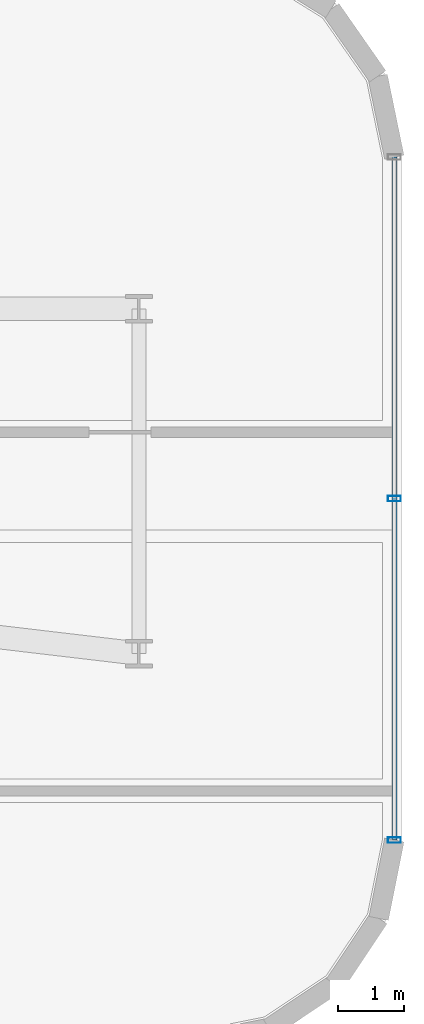
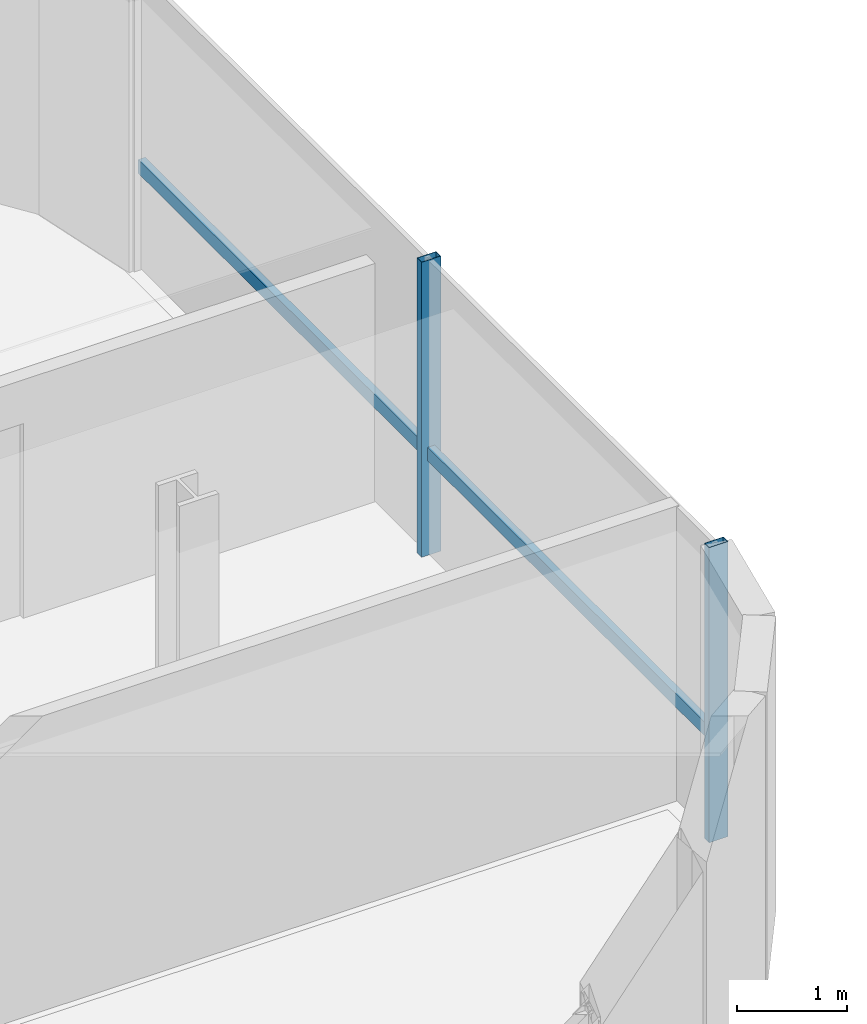
# One storey, part 10 of 22: 3 members, 1 element without a shape of its own.
"""IFC4 building model written with IfcOpenShell, lengths in metres."""

from ifc_helpers import new_model, si_unit, direction, frame, origin, origin_2d, place, context, subcontext, project, spatial, hollow_rectangle, extrude, source, transform, mapped, material, material_profile, profile_set, type_object, element, aggregate, save


model = new_model("IFC4")

# Units and contexts
model_context = context("Model", 3, precision=1e-05, world=origin(), true_north=direction((0.0, 1.0)))
body_context = subcontext(model_context, "Body", "Model", "MODEL_VIEW")
ifc_project = project(units=[si_unit("LENGTHUNIT", "METRE"), si_unit("AREAUNIT", "SQUARE_METRE"), si_unit("VOLUMEUNIT", "CUBIC_METRE"), si_unit("PLANEANGLEUNIT", "RADIAN"), si_unit("MASSUNIT", "GRAM", prefix="KILO")], contexts=[model_context])

# Site, building, storey
site_placement = place(None, origin())
site = spatial("IfcSite", under=ifc_project, at=site_placement, CompositionType="ELEMENT")
building_placement = place(site_placement, origin())
building = spatial("IfcBuilding", under=site, at=building_placement, Name="Valdorenza Pilgrim Sanctuary Tower", CompositionType="ELEMENT")
storey_placement = place(building_placement, frame((0.0, 0.0, 216.0)))
storey = spatial("IfcBuildingStorey", under=building, at=storey_placement, Name="L55", CompositionType="ELEMENT", Elevation=216.0)

# Curtain wall, members
ifc_material_1 = material(Name="Curtain-wall IGU glazing", Category="glass")
curtain_wall_type = type_object("IfcCurtainWallType", Name="CW-SYS-02", PredefinedType="NOTDEFINED", material=ifc_material_1)
curtain_wall_placement = place(storey_placement, origin())
curtain_wall = element("IfcCurtainWall", 1, at=curtain_wall_placement, inside=storey, type_object=curtain_wall_type, Name="L55 Curtain Wall CW-L55-1-11", PredefinedType="NOTDEFINED")
ifc_material_2 = material(Name="Anodised aluminium AW-6060", Category="aluminium")
ifc_material_profile_1 = material_profile(ifc_material_2, hollow_rectangle(XDim=0.0849609375, YDim=0.199951171875, WallThickness=0.0048828125, at=origin_2d()), Name="ALU-M 200x85x5")
ifc_profile_set_1 = profile_set([ifc_material_profile_1], Name="Anodised aluminium AW-6060")
member_type_1 = type_object("IfcMemberType", Name="CW-MUL-02", PredefinedType="MULLION", material=ifc_profile_set_1)
shared_shape_1 = source(origin(), body_context, "Body", "SweptSolid", [
    extrude(hollow_rectangle(XDim=0.0849609375, YDim=0.199951171875, WallThickness=0.0048828125, at=origin_2d()), origin(), (0.0, 0.0, 1.0), 3.260009765625),
])
member_1_placement = place(storey_placement, frame((0.389892578125, 11.9111328125, 0.0), z_axis=(0.0, 0.0, 1.0), x_axis=(0.0, -1.0, 0.0)))
member_1 = element("IfcMember", 2, at=member_1_placement, type_object=member_type_1, Name="CW-L55-1-11 Mullion 2", PredefinedType="MULLION", context=body_context, shape_type="MappedRepresentation", body=[
    mapped(shared_shape_1, transform((0.0, 0.0, 0.0), x_axis=(1.0, 0.0, 0.0), y_axis=(0.0, 1.0, 0.0), z_axis=(0.0, 0.0, 1.0), scale=1.0)),
])
member_2_placement = place(storey_placement, frame((0.389892578125, 6.710693359375, 0.0), z_axis=(0.0, 0.0, 1.0), x_axis=(0.0, -1.0, 0.0)))
member_2 = element("IfcMember", 3, at=member_2_placement, type_object=member_type_1, Name="CW-L55-1-11 Mullion 3", PredefinedType="MULLION", context=body_context, shape_type="MappedRepresentation", body=[
    mapped(shared_shape_1, transform((0.0, 0.0, 0.0), x_axis=(1.0, 0.0, 0.0), y_axis=(0.0, 1.0, 0.0), z_axis=(0.0, 0.0, 1.0), scale=1.0)),
])
ifc_material_profile_2 = material_profile(ifc_material_2, hollow_rectangle(XDim=0.074951171875, YDim=0.14990234375, WallThickness=0.00390625, at=origin_2d()), Name="ALU-T 150x75x4")
ifc_profile_set_2 = profile_set([ifc_material_profile_2], Name="Anodised aluminium AW-6060")
member_type_2 = type_object("IfcMemberType", Name="CW-TRN-02", PredefinedType="USERDEFINED", material=ifc_profile_set_2)
shared_shape_2 = source(origin(), body_context, "Body", "SweptSolid", [
    extrude(hollow_rectangle(XDim=0.074951171875, YDim=0.14990234375, WallThickness=0.00390625, at=origin_2d()), origin(), (0.0, 0.0, 1.0), 10.400634765625),
])
member_3_placement = place(storey_placement, frame((0.389892578125, 17.111328125, 1.1201171875), z_axis=(0.0, -1.0, 0.0), x_axis=(1.0, 0.0, 0.0)))
member_3 = element("IfcMember", 4, at=member_3_placement, type_object=member_type_2, Name="CW-L55-1-11 Transom 1", ObjectType="TRANSOM", PredefinedType="USERDEFINED", context=body_context, shape_type="MappedRepresentation", body=[
    mapped(shared_shape_2, transform((0.0, 0.0, 0.0), x_axis=(1.0, 0.0, 0.0), y_axis=(0.0, 1.0, 0.0), z_axis=(0.0, 0.0, 1.0), scale=1.0)),
])
aggregate(curtain_wall, [member_1, member_2, member_3])

save(model, "model.ifc")
